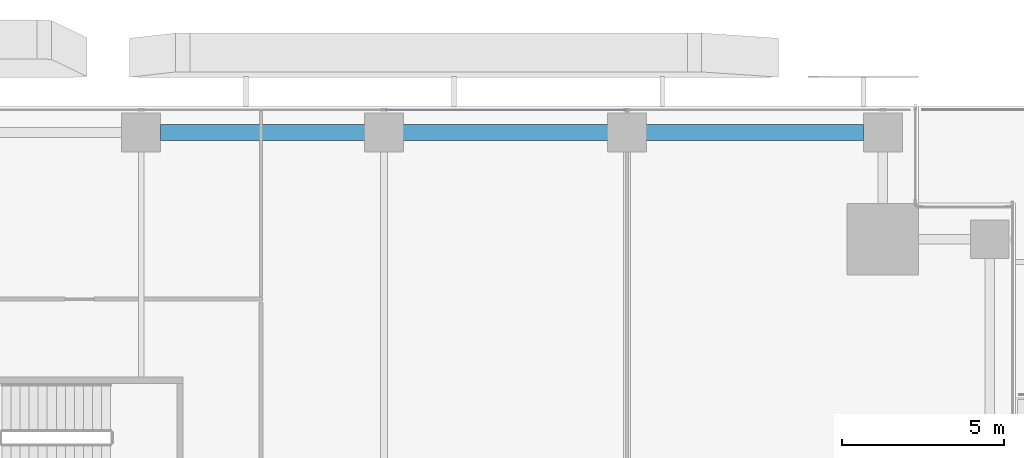
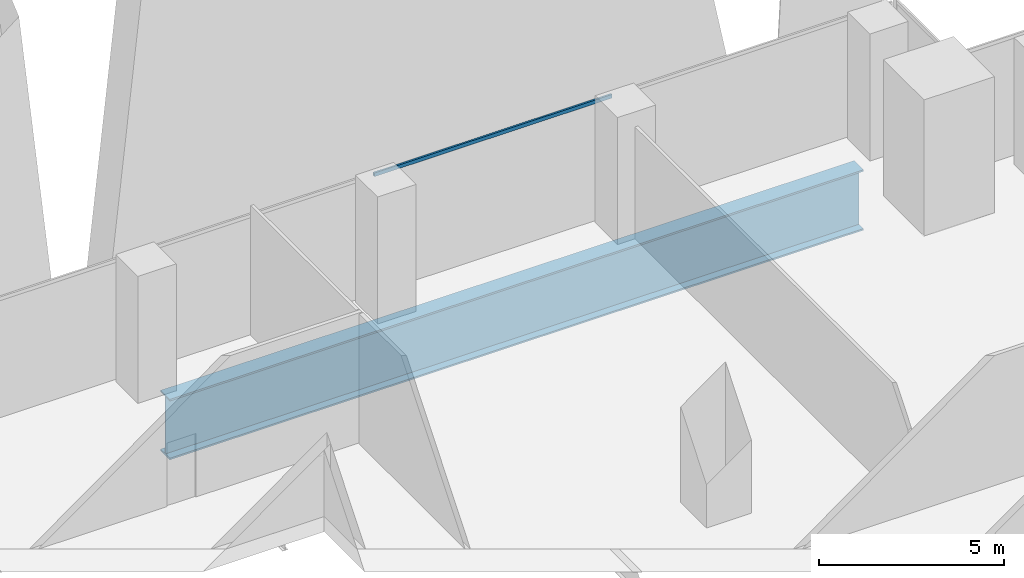
# One storey, part 22 of 46: 1 beam, 1 member, 1 element without a shape of its own.
"""IFC4 building model written with IfcOpenShell, lengths in metres."""

import ifcopenshell
import ifcopenshell.guid

model = None  # the IFC model being written
_history = None  # IfcOwnerHistory: only IFC2X3 demands one
_inside = {}  # id of a spatial element -> (the spatial element, [elements in it])
_under = {}  # id of a project, library or spatial element -> (it, [spatial elements below it])
_declared = {}  # id of a project -> (the project, [libraries it declares])
_typed = {}  # id of a type object -> (the type object, [elements of that type])
_made_of = {}  # id of a material, layer set ... -> (it, [elements and type objects made of it])


def new_model(schema):
    """Start an empty IFC model of exactly this schema.

    Asked for "IFC4X3", IfcOpenShell would pick the latest addendum, in which some entities
    have other attributes; the version numbers below select the first issue.
    IFC2X3 requires an IfcOwnerHistory on every rooted entity: one is made here for all.
    """
    global model, _history
    if schema == "IFC4X3":
        model = ifcopenshell.file(schema_version=(4, 3, 0, 0))
    else:
        model = ifcopenshell.file(schema=schema)
    _inside.clear()
    _under.clear()
    _declared.clear()
    _typed.clear()
    _made_of.clear()
    _history = None
    if model.schema == "IFC2X3":
        org = make("IfcOrganization", Name="unknown")
        user = make(
            "IfcPersonAndOrganization",
            ThePerson=make("IfcPerson", FamilyName="unknown"),
            TheOrganization=org,
        )
        app = make(
            "IfcApplication",
            ApplicationDeveloper=org,
            Version="unknown",
            ApplicationFullName="unknown",
            ApplicationIdentifier="unknown",
        )
        _history = make(
            "IfcOwnerHistory",
            OwningUser=user,
            OwningApplication=app,
            ChangeAction="ADDED",
            CreationDate=0,
        )
    return model


def make(cls, **values):
    """One entity of the class cls with the attributes given. An attribute that is None is left unset."""
    return model.create_entity(
        cls, **{name: value for name, value in values.items() if value is not None}
    )


def rooted(cls, **values):
    """An entity with a GlobalId (a new one), such as an element, a storey or a relation."""
    return make(cls, GlobalId=ifcopenshell.guid.new(), OwnerHistory=_history, **values)


def si_unit(unit_type, name, prefix=None):
    """IfcSIUnit, for example si_unit("LENGTHUNIT", "METRE", prefix="MILLI")."""
    return make("IfcSIUnit", UnitType=unit_type, Prefix=prefix, Name=name)


def assignment(units):
    """IfcUnitAssignment: the units of a project."""
    return None if units is None else make("IfcUnitAssignment", Units=units)


def point(xyz):
    """IfcCartesianPoint."""
    return None if xyz is None else make("IfcCartesianPoint", Coordinates=xyz)


def direction(xyz):
    """IfcDirection."""
    return None if xyz is None else make("IfcDirection", DirectionRatios=xyz)


def frame(location, z_axis=None, x_axis=None):
    """IfcAxis2Placement3D, a coordinate frame: its origin and axes. An axis left out is left unset."""
    return make(
        "IfcAxis2Placement3D",
        Location=point(location),
        Axis=direction(z_axis),
        RefDirection=direction(x_axis),
    )


def frame_2d(location, x_axis=None):
    """IfcAxis2Placement2D, a coordinate frame in the plane: its origin and x axis."""
    return make(
        "IfcAxis2Placement2D", Location=point(location), RefDirection=direction(x_axis)
    )


def origin():
    """The frame at (0, 0, 0) with its axes left unset."""
    return frame((0.0, 0.0, 0.0))


def origin_2d():
    """The frame at (0, 0) in the plane with its x axis left unset."""
    return frame_2d((0.0, 0.0))


def place(relative_to, where):
    """IfcLocalPlacement: puts the frame where relative to a parent placement (None: the world)."""
    return make(
        "IfcLocalPlacement", PlacementRelTo=relative_to, RelativePlacement=where
    )


def context(
    kind, dimensions, precision=None, world=None, true_north=None, identifier=None
):
    """IfcGeometricRepresentationContext, for example the 3D "Model" context."""
    return make(
        "IfcGeometricRepresentationContext",
        ContextIdentifier=identifier,
        ContextType=kind,
        CoordinateSpaceDimension=dimensions,
        Precision=precision,
        WorldCoordinateSystem=world,
        TrueNorth=true_north,
    )


def subcontext(parent, identifier, kind, view, scale=None):
    """IfcGeometricRepresentationSubContext, for example "Body" below "Model"."""
    return make(
        "IfcGeometricRepresentationSubContext",
        ContextIdentifier=identifier,
        ContextType=kind,
        ParentContext=parent,
        TargetScale=scale,
        TargetView=view,
    )


def project(units=None, contexts=None):
    """IfcProject with its units and contexts."""
    return rooted(
        "IfcProject",
        Name="project",
        RepresentationContexts=contexts,
        UnitsInContext=assignment(units),
    )


def spatial(cls, under=None, at=None, **own):
    """A site, building, storey or space (cls), placed at a placement, below another one or the project."""
    s = rooted(cls, ObjectPlacement=at, **own)
    if under is not None:
        _under.setdefault(under.id(), (under, []))[1].append(s)
    return s


def profile(cls, at=None, kind="AREA", **sizes):
    """A parametric profile (cls). Its sizes go by their IFC names, for example OverallWidth=200.0."""
    return make(cls, ProfileType=kind, Position=at, **sizes)


def hollow_rectangle(**sizes):
    """IfcRectangleHollowProfileDef."""
    return profile("IfcRectangleHollowProfileDef", **sizes)


def i_section(**sizes):
    """IfcIShapeProfileDef."""
    return profile("IfcIShapeProfileDef", **sizes)


def extrude(swept, where, along, depth):
    """IfcExtrudedAreaSolid: the profile swept, set in the frame where, extruded along a direction by depth."""
    return make(
        "IfcExtrudedAreaSolid",
        SweptArea=swept,
        Position=where,
        ExtrudedDirection=direction(along),
        Depth=depth,
    )


def shape(context_of_items, identifier, shape_type, items):
    """IfcShapeRepresentation: the items that make up one representation, for example the "Body"."""
    return make(
        "IfcShapeRepresentation",
        ContextOfItems=context_of_items,
        RepresentationIdentifier=identifier,
        RepresentationType=shape_type,
        Items=items,
    )


def source(mapping_origin, context_of_items, identifier, shape_type, items):
    """IfcRepresentationMap: a shape defined once, which mapped items show again and again."""
    return make(
        "IfcRepresentationMap",
        MappingOrigin=mapping_origin,
        MappedRepresentation=shape(context_of_items, identifier, shape_type, items),
    )


def transform(
    local_origin,
    x_axis=None,
    y_axis=None,
    z_axis=None,
    scale=None,
    scale2=None,
    scale3=None,
    uniform=True,
):
    """IfcCartesianTransformationOperator3D, or its non-uniform kind. x_axis, y_axis, z_axis: its Axis1, 2, 3."""
    if uniform:
        return make(
            "IfcCartesianTransformationOperator3D",
            Axis1=direction(x_axis),
            Axis2=direction(y_axis),
            LocalOrigin=point(local_origin),
            Scale=scale,
            Axis3=direction(z_axis),
        )
    return make(
        "IfcCartesianTransformationOperator3DnonUniform",
        Axis1=direction(x_axis),
        Axis2=direction(y_axis),
        LocalOrigin=point(local_origin),
        Scale=scale,
        Axis3=direction(z_axis),
        Scale2=scale2,
        Scale3=scale3,
    )


def mapped(mapping_source, mapping_target):
    """IfcMappedItem: shows the shape of a source again, moved by a transform."""
    return make(
        "IfcMappedItem", MappingSource=mapping_source, MappingTarget=mapping_target
    )


def material(Name=None, Category=None):
    """IfcMaterial."""
    return make("IfcMaterial", Name=Name, Category=Category)


def material_profile(
    of_material, cross_section, Name=None, Category=None, Priority=None
):
    """IfcMaterialProfile: a cross section and its material."""
    return make(
        "IfcMaterialProfile",
        Name=Name,
        Material=of_material,
        Profile=cross_section,
        Priority=Priority,
        Category=Category,
    )


def profile_set(profiles, Name=None, composite=None):
    """IfcMaterialProfileSet."""
    return make(
        "IfcMaterialProfileSet",
        Name=Name,
        MaterialProfiles=profiles,
        CompositeProfile=composite,
    )


def made_of(thing, what):
    """Note that an element or type object is made of a material, layer set ...; save() writes the relation."""
    if what is not None:
        _made_of.setdefault(what.id(), (what, []))[1].append(thing)
    return thing


def type_object(cls, material=None, **own):
    """A type object (cls), such as IfcWallType, which elements share."""
    return made_of(rooted(cls, **own), material)


def element(
    cls,
    number,
    at=None,
    inside=None,
    cuts=None,
    type_object=None,
    material=None,
    context=None,
    identifier="Body",
    shape_type=None,
    held_by="IfcProductDefinitionShape",
    body=None,
    shapes=None,
    **own,
):
    """One element of the class cls, such as IfcWall. Its Tag is "e" and its number.

    at: its placement. inside: the storey or other place that contains it. cuts: it is an
    opening in that element (IfcRelVoidsElement). A single representation is given by context,
    identifier, shape_type and body (its items); several are given by shapes. held_by: the class
    of the entity that holds the representations. save() writes the other relations.
    """
    e = rooted(cls, Tag="e%d" % number, ObjectPlacement=at, **own)
    if body is not None:
        shapes = [shape(context, identifier, shape_type, body)]
    if shapes is not None:
        e.Representation = make(held_by, Representations=shapes)
    if inside is not None:
        _inside.setdefault(inside.id(), (inside, []))[1].append(e)
    if cuts is not None:
        rooted(
            "IfcRelVoidsElement", RelatingBuildingElement=cuts, RelatedOpeningElement=e
        )
    if type_object is not None:
        _typed.setdefault(type_object.id(), (type_object, []))[1].append(e)
    return made_of(e, material)


def aggregate(whole, parts):
    """IfcRelAggregates: a whole, such as a stair, and the parts it consists of."""
    return rooted("IfcRelAggregates", RelatingObject=whole, RelatedObjects=parts)


def save(model, path):
    """Write the relations noted so far, then the file.

    IfcRelAggregates (storeys below a building ...), IfcRelContainedInSpatialStructure (elements
    in a storey), IfcRelDefinesByType, IfcRelAssociatesMaterial and IfcRelDeclares: one each for
    every whole, place, type object, material and project.
    """
    for whole, parts in _under.values():
        aggregate(whole, parts)
    for where, things in _inside.values():
        rooted(
            "IfcRelContainedInSpatialStructure",
            RelatedElements=things,
            RelatingStructure=where,
        )
    for kind, things in _typed.values():
        rooted("IfcRelDefinesByType", RelatedObjects=things, RelatingType=kind)
    for what, things in _made_of.values():
        rooted("IfcRelAssociatesMaterial", RelatedObjects=things, RelatingMaterial=what)
    for by, libraries in _declared.values():
        rooted("IfcRelDeclares", RelatingContext=by, RelatedDefinitions=libraries)
    model.write(path)


model = new_model("IFC4")

# Units and contexts
model_context = context("Model", 3, precision=1e-05, world=origin(), true_north=direction((0.0, 1.0)))
body_context = subcontext(model_context, "Body", "Model", "MODEL_VIEW")
ifc_project = project(units=[si_unit("LENGTHUNIT", "METRE"), si_unit("AREAUNIT", "SQUARE_METRE"), si_unit("VOLUMEUNIT", "CUBIC_METRE"), si_unit("PLANEANGLEUNIT", "RADIAN"), si_unit("MASSUNIT", "GRAM", prefix="KILO")], contexts=[model_context])

# Site, building, storey
site_placement = place(None, origin())
site = spatial("IfcSite", under=ifc_project, at=site_placement, CompositionType="ELEMENT")
building_placement = place(site_placement, origin())
building = spatial("IfcBuilding", under=site, at=building_placement, Name="Khomas Fold Tower", CompositionType="ELEMENT")
storey_placement = place(building_placement, frame((0.0, 0.0, 33.0)))
storey = spatial("IfcBuildingStorey", under=building, at=storey_placement, Name="L06", CompositionType="ELEMENT", Elevation=33.0)

# Beam
ifc_material_1 = material(Name="Steel S460M", Category="steel")
ifc_material_profile_1 = material_profile(ifc_material_1, i_section(OverallWidth=0.5, OverallDepth=2.0, WebThickness=0.030029296875, FlangeThickness=0.054931640625, at=origin_2d()), Name="PG 2000x500")
ifc_profile_set_1 = profile_set([ifc_material_profile_1], Name="Steel S460M")
beam_type = type_object("IfcBeamType", Name="PG 2000x500 beam TG3", PredefinedType="BEAM", material=ifc_profile_set_1)
shared_shape_1 = source(origin(), body_context, "Body", "SweptSolid", [
    extrude(i_section(OverallWidth=0.5, OverallDepth=2.0, WebThickness=0.030029296875, FlangeThickness=0.054931640625, at=origin_2d()), origin(), (0.0, 0.0, 1.0), 21.699951171875),
])
beam_placement = place(storey_placement, frame((27.60009765625, 53.199951171875, -1.5), z_axis=(1.0, 0.0, 0.0), x_axis=(0.0, 1.0, 0.0)))
element("IfcBeam", 1, at=beam_placement, inside=storey, type_object=beam_type, Name="TG3", PredefinedType="BEAM", context=body_context, shape_type="MappedRepresentation", body=[
    mapped(shared_shape_1, transform((0.0, 0.0, 0.0))),
])

# Curtain wall, member
ifc_material_2 = material(Name="Aluminium framed double glazing", Category="aluminium")
curtain_wall_type = type_object("IfcCurtainWallType", Name="SK-Unitised clear-glass wall, growing floors CW1", PredefinedType="NOTDEFINED", material=ifc_material_2)
curtain_wall_placement = place(storey_placement, origin())
curtain_wall = element("IfcCurtainWall", 2, at=curtain_wall_placement, inside=storey, type_object=curtain_wall_type, Name="CW1 run L06 06-0", PredefinedType="NOTDEFINED")
ifc_material_3 = material(Name="Aluminium", Category="aluminium")
ifc_material_profile_2 = material_profile(ifc_material_3, hollow_rectangle(XDim=0.06005859375, YDim=0.1201171875, WallThickness=0.00390625, at=origin_2d()), Name="SK-Unitised clear-glass wall, growing floors transom CW1-T")
ifc_profile_set_2 = profile_set([ifc_material_profile_2], Name="Aluminium")
member_type = type_object("IfcMemberType", Name="SK-Unitised clear-glass wall, growing floors transom CW1-T", PredefinedType="USERDEFINED", material=ifc_profile_set_2)
shared_shape_2 = source(origin(), body_context, "Body", "SweptSolid", [
    extrude(hollow_rectangle(XDim=0.06005859375, YDim=0.1201171875, WallThickness=0.00390625, at=origin_2d()), origin(), (0.0, 0.0, 1.0), 7.43994140625),
])
member_placement = place(storey_placement, frame((41.969970703125, 53.89990234375, 3.93994140625), z_axis=(-1.0, 0.0, 0.0), x_axis=(0.0, -1.0, 0.0)))
member = element("IfcMember", 3, at=member_placement, type_object=member_type, Name="CW1 transom 3", ObjectType="TRANSOM", PredefinedType="USERDEFINED", context=body_context, shape_type="MappedRepresentation", body=[
    mapped(shared_shape_2, transform((0.0, 0.0, 0.0))),
])
aggregate(curtain_wall, [member])

save(model, "model.ifc")
